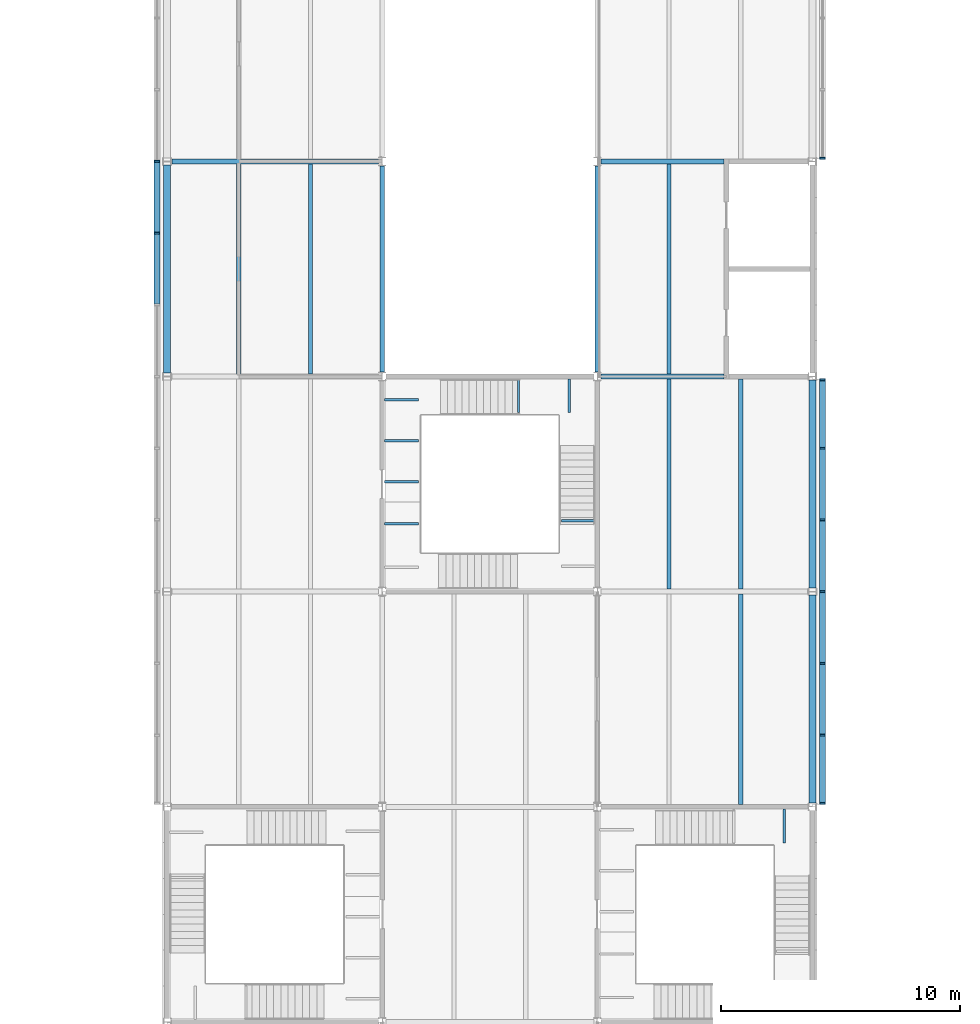
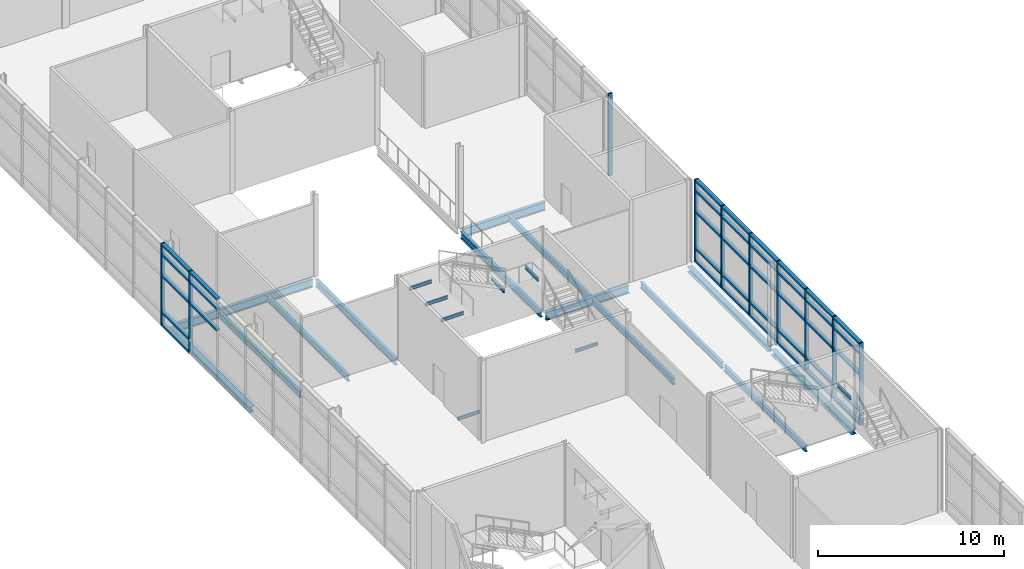
# One storey, part 12 of 53: 48 members, 22 beams, 3 elements without a shape of their own.
"""IFC4 building model written with IfcOpenShell, lengths in metres."""

from ifc_helpers import new_model, si_unit, direction, frame, origin, origin_2d, place, context, subcontext, project, spatial, rectangle, i_section, extrude, material, material_profile, profile_set, type_object, element, aggregate, save


model = new_model("IFC4")

# Units and contexts
model_context = context("Model", 3, precision=1e-05, world=origin(), true_north=direction((0.0, 1.0)))
body_context = subcontext(model_context, "Body", "Model", "MODEL_VIEW")
ifc_project = project(units=[si_unit("LENGTHUNIT", "METRE"), si_unit("AREAUNIT", "SQUARE_METRE"), si_unit("VOLUMEUNIT", "CUBIC_METRE"), si_unit("PLANEANGLEUNIT", "RADIAN"), si_unit("MASSUNIT", "GRAM", prefix="KILO")], contexts=[model_context])

# Site, building, storey
site_placement = place(None, origin())
site = spatial("IfcSite", under=ifc_project, at=site_placement, CompositionType="ELEMENT")
building_placement = place(site_placement, origin())
building = spatial("IfcBuilding", under=site, at=building_placement, Name="Azimuth Sports and Learning Centre", CompositionType="ELEMENT")
storey_placement = place(building_placement, frame((0.0, 0.0, 10.800048828125)))
storey = spatial("IfcBuildingStorey", under=building, at=storey_placement, Name="L02", CompositionType="ELEMENT", Elevation=10.800048828125)

# Beams
ifc_material_1 = material(Name="Steel S355", Category="steel")
ifc_material_profile_1 = material_profile(ifc_material_1, i_section(OverallWidth=0.10009765625, OverallDepth=0.199951171875, WebThickness=0.005615234375, FlangeThickness=0.008544921875, FilletRadius=0.011962890625, at=origin_2d()), Name="IPE 200")
ifc_profile_set_1 = profile_set([ifc_material_profile_1], Name="Steel S355")
beam_type_1 = type_object("IfcBeamType", Name="Beam IPE 200", PredefinedType="BEAM", material=ifc_profile_set_1)
for number, where, z_axis, x_axis, name in (
    (1, (97.827392578125, 35.89990234375, 3.300048828125), (0.0, -1.0, 0.0), (1.0, 0.0, 0.0), "Landing bracket ST4 L02 1114"),
    (2, (81.10009765625, 47.840087890625, -0.300048828125), (1.0, 0.0, 0.0), (0.0, 1.0, 0.0), "Landing bracket STC L02 1144"),
    (3, (89.89990234375, 47.9599609375, 1.5), (-1.0, 0.0, 0.0), (0.0, -1.0, 0.0), "Landing bracket STC L02 1146"),
    (4, (86.702392578125, 53.89990234375, 3.300048828125), (0.0, -1.0, 0.0), (1.0, 0.0, 0.0), "Landing bracket STC L02 1147"),
    (5, (88.827392578125, 53.89990234375, 3.300048828125), (0.0, -1.0, 0.0), (1.0, 0.0, 0.0), "Landing bracket STC L02 1148"),
    (6, (81.10009765625, 49.606689453125, 5.099853515625), (1.0, 0.0, 0.0), (0.0, 1.0, 0.0), "Landing bracket STC L02 1149"),
    (7, (81.10009765625, 51.320068359375, 5.099853515625), (1.0, 0.0, 0.0), (0.0, 1.0, 0.0), "Landing bracket STC L02 1150"),
    (8, (81.10009765625, 53.033447265625, 5.099853515625), (1.0, 0.0, 0.0), (0.0, 1.0, 0.0), "Landing bracket STC L02 1151"),
):
    element("IfcBeam", number, at=place(storey_placement, frame(where, z_axis=z_axis, x_axis=x_axis)), inside=storey, type_object=beam_type_1, Name=name, PredefinedType="BEAM", context=body_context, shape_type="SweptSolid", body=[
        extrude(i_section(OverallWidth=0.10009765625, OverallDepth=0.199951171875, WebThickness=0.005615234375, FlangeThickness=0.008544921875, FilletRadius=0.011962890625, at=origin_2d()), origin(), (0.0, 0.0, 1.0), 1.409912109375),
    ])
ifc_material_2 = material(Name="Steel S355", Category="steel")
ifc_material_profile_2 = material_profile(ifc_material_2, i_section(OverallWidth=0.18994140625, OverallDepth=0.449951171875, WebThickness=0.009521484375, FlangeThickness=0.0146484375, FilletRadius=0.02099609375, at=origin_2d()), Name="IPE 450")
ifc_profile_set_2 = profile_set([ifc_material_profile_2], Name="Steel S355")
beam_type_2 = type_object("IfcBeamType", Name="Beam IPE 450", PredefinedType="BEAM", material=ifc_profile_set_2)
for number, where, z_axis, x_axis, name in (
    (9, (81.0, 54.199951171875, -0.375), (0.0, 1.0, 0.0), (-1.0, 0.0, 0.0), "Beam L02 ST 32"),
    (10, (90.0, 54.199951171875, -0.375), (0.0, 1.0, 0.0), (-1.0, 0.0, 0.0), "Beam L02 ST 38"),
):
    element("IfcBeam", number, at=place(storey_placement, frame(where, z_axis=z_axis, x_axis=x_axis)), inside=storey, type_object=beam_type_2, Name=name, PredefinedType="BEAM", context=body_context, shape_type="SweptSolid", body=[
        extrude(i_section(OverallWidth=0.18994140625, OverallDepth=0.449951171875, WebThickness=0.009521484375, FlangeThickness=0.0146484375, FilletRadius=0.02099609375, at=origin_2d()), origin(), (0.0, 0.0, 1.0), 8.60009765625),
    ])
ifc_material_3 = material(Name="Steel S355", Category="steel")
ifc_material_profile_3 = material_profile(ifc_material_3, i_section(OverallWidth=0.2099609375, OverallDepth=0.550048828125, WebThickness=0.010986328125, FlangeThickness=0.01708984375, FilletRadius=0.02392578125, at=origin_2d()), Name="IPE 550")
ifc_profile_set_3 = profile_set([ifc_material_profile_3], Name="Steel S355")
beam_type_3 = type_object("IfcBeamType", Name="Beam IPE 550", PredefinedType="BEAM", material=ifc_profile_set_3)
beam_1_placement = place(storey_placement, frame((90.14990234375, 54.0, -0.425048828125), z_axis=(1.0, 0.0, 0.0), x_axis=(0.0, 1.0, 0.0)))
element("IfcBeam", 11, at=beam_1_placement, inside=storey, type_object=beam_type_3, Name="Beam L02 ST 11", PredefinedType="BEAM", context=body_context, shape_type="SweptSolid", body=[
    extrude(i_section(OverallWidth=0.2099609375, OverallDepth=0.550048828125, WebThickness=0.010986328125, FlangeThickness=0.01708984375, FilletRadius=0.02392578125, at=origin_2d()), origin(), (0.0, 0.0, 1.0), 5.150146484375),
])
beam_2_placement = place(storey_placement, frame((72.199951171875, 63.0, -0.425048828125), z_axis=(1.0, 0.0, 0.0), x_axis=(0.0, 1.0, 0.0)))
element("IfcBeam", 12, at=beam_2_placement, inside=storey, type_object=beam_type_3, Name="Beam L02 ST 12", PredefinedType="BEAM", context=body_context, shape_type="SweptSolid", body=[
    extrude(i_section(OverallWidth=0.2099609375, OverallDepth=0.550048828125, WebThickness=0.010986328125, FlangeThickness=0.01708984375, FilletRadius=0.02392578125, at=origin_2d()), origin(), (0.0, 0.0, 1.0), 8.650146484375),
])
beam_3_placement = place(storey_placement, frame((90.14990234375, 63.0, -0.425048828125), z_axis=(1.0, 0.0, 0.0), x_axis=(0.0, 1.0, 0.0)))
element("IfcBeam", 13, at=beam_3_placement, inside=storey, type_object=beam_type_3, Name="Beam L02 ST 13", PredefinedType="BEAM", context=body_context, shape_type="SweptSolid", body=[
    extrude(i_section(OverallWidth=0.2099609375, OverallDepth=0.550048828125, WebThickness=0.010986328125, FlangeThickness=0.01708984375, FilletRadius=0.02392578125, at=origin_2d()), origin(), (0.0, 0.0, 1.0), 5.150146484375),
])
ifc_material_4 = material(Name="Steel S355", Category="steel")
ifc_material_profile_4 = material_profile(ifc_material_4, i_section(OverallWidth=0.300048828125, OverallDepth=0.35009765625, WebThickness=0.010009765625, FlangeThickness=0.017578125, FilletRadius=0.027099609375, at=origin_2d()), Name="HEA 360")
ifc_profile_set_4 = profile_set([ifc_material_profile_4], Name="Steel S355")
beam_type_4 = type_object("IfcBeamType", Name="Edge beam HEA 360", PredefinedType="SPANDREL", material=ifc_profile_set_4)
for number, where, z_axis, x_axis, name in (
    (14, (72.0, 54.14990234375, -0.324951171875), (0.0, 1.0, 0.0), (-1.0, 0.0, 0.0), "Edge beam L02 ST 25"),
    (15, (99.0, 36.14990234375, -0.324951171875), (0.0, 1.0, 0.0), (-1.0, 0.0, 0.0), "Edge beam L02 ST 43"),
    (16, (99.0, 45.14990234375, -0.324951171875), (0.0, 1.0, 0.0), (-1.0, 0.0, 0.0), "Edge beam L02 ST 44"),
):
    element("IfcBeam", number, at=place(storey_placement, frame(where, z_axis=z_axis, x_axis=x_axis)), inside=storey, type_object=beam_type_4, Name=name, PredefinedType="SPANDREL", context=body_context, shape_type="SweptSolid", body=[
        extrude(i_section(OverallWidth=0.300048828125, OverallDepth=0.35009765625, WebThickness=0.010009765625, FlangeThickness=0.017578125, FilletRadius=0.027099609375, at=origin_2d()), origin(), (0.0, 0.0, 1.0), 8.7001953125),
    ])
ifc_material_5 = material(Name="Steel S355", Category="steel")
ifc_material_profile_5 = material_profile(ifc_material_5, i_section(OverallWidth=0.179931640625, OverallDepth=0.39990234375, WebThickness=0.008544921875, FlangeThickness=0.013427734375, FilletRadius=0.02099609375, at=origin_2d()), Name="IPE 400")
ifc_profile_set_5 = profile_set([ifc_material_profile_5], Name="Steel S355")
beam_type_5 = type_object("IfcBeamType", Name="Joist IPE 400", PredefinedType="JOIST", material=ifc_profile_set_5)
for number, where, z_axis, x_axis, name in (
    (17, (75.0, 54.10498046875, -0.35009765625), (0.0, 1.0, 0.0), (-1.0, 0.0, 0.0), "Joist L02 ST 52"),
    (18, (78.0, 54.10498046875, -0.35009765625), (0.0, 1.0, 0.0), (-1.0, 0.0, 0.0), "Joist L02 ST 60"),
    (19, (93.0, 45.10498046875, -0.35009765625), (0.0, 1.0, 0.0), (-1.0, 0.0, 0.0), "Joist L02 ST 79"),
    (20, (93.0, 54.10498046875, -0.35009765625), (0.0, 1.0, 0.0), (-1.0, 0.0, 0.0), "Joist L02 ST 80"),
):
    element("IfcBeam", number, at=place(storey_placement, frame(where, z_axis=z_axis, x_axis=x_axis)), inside=storey, type_object=beam_type_5, Name=name, PredefinedType="JOIST", context=body_context, shape_type="SweptSolid", body=[
        extrude(i_section(OverallWidth=0.179931640625, OverallDepth=0.39990234375, WebThickness=0.008544921875, FlangeThickness=0.013427734375, FilletRadius=0.02099609375, at=origin_2d()), origin(), (0.0, 0.0, 1.0), 8.7900390625),
    ])
for number, where, z_axis, x_axis, name in (
    (21, (96.0, 36.10009765625, -0.35009765625), (0.0, 1.0, 0.0), (-1.0, 0.0, 0.0), "Joist L02 ST 86"),
    (22, (96.0, 45.10498046875, -0.35009765625), (0.0, 1.0, 0.0), (-1.0, 0.0, 0.0), "Joist L02 ST 87"),
):
    element("IfcBeam", number, at=place(storey_placement, frame(where, z_axis=z_axis, x_axis=x_axis)), inside=storey, type_object=beam_type_5, Name=name, PredefinedType="JOIST", context=body_context, shape_type="SweptSolid", body=[
        extrude(i_section(OverallWidth=0.179931640625, OverallDepth=0.39990234375, WebThickness=0.008544921875, FlangeThickness=0.013427734375, FilletRadius=0.02099609375, at=origin_2d()), origin(), (0.0, 0.0, 1.0), 8.794921875),
    ])

# Curtain wall, members
ifc_material_6 = material(Name="Aluminium and glass", Category="aluminium")
curtain_wall_type = type_object("IfcCurtainWallType", Name="Curtain wall podium stem 240", PredefinedType="NOTDEFINED", material=ifc_material_6)
curtain_wall_1_placement = place(storey_placement, origin())
curtain_wall_1 = element("IfcCurtainWall", 23, at=curtain_wall_1_placement, inside=storey, type_object=curtain_wall_type, Name="Curtain wall CW02-003", PredefinedType="NOTDEFINED")
ifc_material_7 = material(Name="Aluminium", Category="aluminium")
ifc_material_profile_6 = material_profile(ifc_material_7, rectangle(XDim=0.239990234375, YDim=0.080078125, at=origin_2d()), Name="Mullion 80x240")
ifc_profile_set_6 = profile_set([ifc_material_profile_6], Name="Aluminium")
member_type_1 = type_object("IfcMemberType", Name="Mullion 80x240", PredefinedType="MULLION", material=ifc_profile_set_6)
member_1_placement = place(storey_placement, frame((71.580078125, 63.0, 0.0), z_axis=(0.0, 0.0, 1.0), x_axis=(1.0, 0.0, 0.0)))
member_1 = element("IfcMember", 24, at=member_1_placement, type_object=member_type_1, Name="CW02-003 mullion 10", PredefinedType="MULLION", context=body_context, shape_type="SweptSolid", body=[
    extrude(rectangle(XDim=0.239990234375, YDim=0.080078125, at=origin_2d()), origin(), (0.0, 0.0, 1.0), 5.39990234375),
])
member_2_placement = place(storey_placement, frame((71.580078125, 60.0, 0.0), z_axis=(0.0, 0.0, 1.0), x_axis=(1.0, 0.0, 0.0)))
member_2 = element("IfcMember", 25, at=member_2_placement, type_object=member_type_1, Name="CW02-003 mullion 11", PredefinedType="MULLION", context=body_context, shape_type="SweptSolid", body=[
    extrude(rectangle(XDim=0.239990234375, YDim=0.080078125, at=origin_2d()), origin(), (0.0, 0.0, 1.0), 5.39990234375),
])

curtain_wall_2_placement = place(storey_placement, origin())
curtain_wall_2 = element("IfcCurtainWall", 26, at=curtain_wall_2_placement, inside=storey, type_object=curtain_wall_type, Name="Curtain wall CW02-007", PredefinedType="NOTDEFINED")
member_3_placement = place(storey_placement, frame((99.419921875, 36.139892578125, 0.0), z_axis=(0.0, 0.0, 1.0), x_axis=(-1.0, 0.0, 0.0)))
member_3 = element("IfcMember", 27, at=member_3_placement, type_object=member_type_1, Name="CW02-007 mullion 1", PredefinedType="MULLION", context=body_context, shape_type="SweptSolid", body=[
    extrude(rectangle(XDim=0.239990234375, YDim=0.080078125, at=origin_2d()), origin(), (0.0, 0.0, 1.0), 5.39990234375),
])
member_4_placement = place(storey_placement, frame((99.419921875, 39.0, 0.0), z_axis=(0.0, 0.0, 1.0), x_axis=(-1.0, 0.0, 0.0)))
member_4 = element("IfcMember", 28, at=member_4_placement, type_object=member_type_1, Name="CW02-007 mullion 2", PredefinedType="MULLION", context=body_context, shape_type="SweptSolid", body=[
    extrude(rectangle(XDim=0.239990234375, YDim=0.080078125, at=origin_2d()), origin(), (0.0, 0.0, 1.0), 5.39990234375),
])
member_5_placement = place(storey_placement, frame((99.419921875, 42.0, 0.0), z_axis=(0.0, 0.0, 1.0), x_axis=(-1.0, 0.0, 0.0)))
member_5 = element("IfcMember", 29, at=member_5_placement, type_object=member_type_1, Name="CW02-007 mullion 3", PredefinedType="MULLION", context=body_context, shape_type="SweptSolid", body=[
    extrude(rectangle(XDim=0.239990234375, YDim=0.080078125, at=origin_2d()), origin(), (0.0, 0.0, 1.0), 5.39990234375),
])
member_6_placement = place(storey_placement, frame((99.419921875, 45.0, 0.0), z_axis=(0.0, 0.0, 1.0), x_axis=(-1.0, 0.0, 0.0)))
member_6 = element("IfcMember", 30, at=member_6_placement, type_object=member_type_1, Name="CW02-007 mullion 4", PredefinedType="MULLION", context=body_context, shape_type="SweptSolid", body=[
    extrude(rectangle(XDim=0.239990234375, YDim=0.080078125, at=origin_2d()), origin(), (0.0, 0.0, 1.0), 5.39990234375),
])
member_7_placement = place(storey_placement, frame((99.419921875, 48.0, 0.0), z_axis=(0.0, 0.0, 1.0), x_axis=(-1.0, 0.0, 0.0)))
member_7 = element("IfcMember", 31, at=member_7_placement, type_object=member_type_1, Name="CW02-007 mullion 5", PredefinedType="MULLION", context=body_context, shape_type="SweptSolid", body=[
    extrude(rectangle(XDim=0.239990234375, YDim=0.080078125, at=origin_2d()), origin(), (0.0, 0.0, 1.0), 5.39990234375),
])
member_8_placement = place(storey_placement, frame((99.419921875, 51.0, 0.0), z_axis=(0.0, 0.0, 1.0), x_axis=(-1.0, 0.0, 0.0)))
member_8 = element("IfcMember", 32, at=member_8_placement, type_object=member_type_1, Name="CW02-007 mullion 6", PredefinedType="MULLION", context=body_context, shape_type="SweptSolid", body=[
    extrude(rectangle(XDim=0.239990234375, YDim=0.080078125, at=origin_2d()), origin(), (0.0, 0.0, 1.0), 5.39990234375),
])
member_9_placement = place(storey_placement, frame((99.419921875, 53.860107421875, 0.0), z_axis=(0.0, 0.0, 1.0), x_axis=(-1.0, 0.0, 0.0)))
member_9 = element("IfcMember", 33, at=member_9_placement, type_object=member_type_1, Name="CW02-007 mullion 7", PredefinedType="MULLION", context=body_context, shape_type="SweptSolid", body=[
    extrude(rectangle(XDim=0.239990234375, YDim=0.080078125, at=origin_2d()), origin(), (0.0, 0.0, 1.0), 5.39990234375),
])

# Curtain wall, member
curtain_wall_3_placement = place(storey_placement, origin())
curtain_wall_3 = element("IfcCurtainWall", 34, at=curtain_wall_3_placement, inside=storey, type_object=curtain_wall_type, Name="Curtain wall CW02-008", PredefinedType="NOTDEFINED")
member_10_placement = place(storey_placement, frame((99.419921875, 63.139892578125, 0.0), z_axis=(0.0, 0.0, 1.0), x_axis=(-1.0, 0.0, 0.0)))
member_10 = element("IfcMember", 35, at=member_10_placement, type_object=member_type_1, Name="CW02-008 mullion 1", PredefinedType="MULLION", context=body_context, shape_type="SweptSolid", body=[
    extrude(rectangle(XDim=0.239990234375, YDim=0.080078125, at=origin_2d()), origin(), (0.0, 0.0, 1.0), 5.39990234375),
])
aggregate(curtain_wall_3, [member_10])

# Member
ifc_material_8 = material(Name="Aluminium", Category="aluminium")
ifc_material_profile_7 = material_profile(ifc_material_8, rectangle(XDim=0.239990234375, YDim=0.1201171875, at=origin_2d()), Name="Transom 120x240")
ifc_profile_set_7 = profile_set([ifc_material_profile_7], Name="Aluminium")
member_type_2 = type_object("IfcMemberType", Name="Transom 120x240", PredefinedType="USERDEFINED", material=ifc_profile_set_7)
member_11_placement = place(storey_placement, frame((71.580078125, 62.9599609375, 0.06005859375), z_axis=(0.0, -1.0, 0.0), x_axis=(1.0, 0.0, 0.0)))
member_11 = element("IfcMember", 36, at=member_11_placement, type_object=member_type_2, Name="CW02-003 transom 10.1", ObjectType="TRANSOM", PredefinedType="USERDEFINED", context=body_context, shape_type="SweptSolid", body=[
    extrude(rectangle(XDim=0.239990234375, YDim=0.1201171875, at=origin_2d()), origin(), (0.0, 0.0, 1.0), 2.919921875),
])

member_12_placement = place(storey_placement, frame((71.580078125, 62.9599609375, 0.89990234375), z_axis=(0.0, -1.0, 0.0), x_axis=(1.0, 0.0, 0.0)))
member_12 = element("IfcMember", 37, at=member_12_placement, type_object=member_type_2, Name="CW02-003 transom 10.2", ObjectType="TRANSOM", PredefinedType="USERDEFINED", context=body_context, shape_type="SweptSolid", body=[
    extrude(rectangle(XDim=0.239990234375, YDim=0.1201171875, at=origin_2d()), origin(), (0.0, 0.0, 1.0), 2.919921875),
])

member_13_placement = place(storey_placement, frame((71.580078125, 62.9599609375, 3.300048828125), z_axis=(0.0, -1.0, 0.0), x_axis=(1.0, 0.0, 0.0)))
member_13 = element("IfcMember", 38, at=member_13_placement, type_object=member_type_2, Name="CW02-003 transom 10.3", ObjectType="TRANSOM", PredefinedType="USERDEFINED", context=body_context, shape_type="SweptSolid", body=[
    extrude(rectangle(XDim=0.239990234375, YDim=0.1201171875, at=origin_2d()), origin(), (0.0, 0.0, 1.0), 2.919921875),
])

member_14_placement = place(storey_placement, frame((71.580078125, 62.9599609375, 4.699951171875), z_axis=(0.0, -1.0, 0.0), x_axis=(1.0, 0.0, 0.0)))
member_14 = element("IfcMember", 39, at=member_14_placement, type_object=member_type_2, Name="CW02-003 transom 10.4", ObjectType="TRANSOM", PredefinedType="USERDEFINED", context=body_context, shape_type="SweptSolid", body=[
    extrude(rectangle(XDim=0.239990234375, YDim=0.1201171875, at=origin_2d()), origin(), (0.0, 0.0, 1.0), 2.919921875),
])

member_15_placement = place(storey_placement, frame((71.580078125, 62.9599609375, 5.33984375), z_axis=(0.0, -1.0, 0.0), x_axis=(1.0, 0.0, 0.0)))
member_15 = element("IfcMember", 40, at=member_15_placement, type_object=member_type_2, Name="CW02-003 transom 10.5", ObjectType="TRANSOM", PredefinedType="USERDEFINED", context=body_context, shape_type="SweptSolid", body=[
    extrude(rectangle(XDim=0.239990234375, YDim=0.1201171875, at=origin_2d()), origin(), (0.0, 0.0, 1.0), 2.919921875),
])

member_16_placement = place(storey_placement, frame((71.580078125, 59.9599609375, 3.300048828125), z_axis=(0.0, -1.0, 0.0), x_axis=(1.0, 0.0, 0.0)))
member_16 = element("IfcMember", 41, at=member_16_placement, type_object=member_type_2, Name="CW02-003 transom 11.3", ObjectType="TRANSOM", PredefinedType="USERDEFINED", context=body_context, shape_type="SweptSolid", body=[
    extrude(rectangle(XDim=0.239990234375, YDim=0.1201171875, at=origin_2d()), origin(), (0.0, 0.0, 1.0), 2.919921875),
])

member_17_placement = place(storey_placement, frame((71.580078125, 59.9599609375, 4.699951171875), z_axis=(0.0, -1.0, 0.0), x_axis=(1.0, 0.0, 0.0)))
member_17 = element("IfcMember", 42, at=member_17_placement, type_object=member_type_2, Name="CW02-003 transom 11.4", ObjectType="TRANSOM", PredefinedType="USERDEFINED", context=body_context, shape_type="SweptSolid", body=[
    extrude(rectangle(XDim=0.239990234375, YDim=0.1201171875, at=origin_2d()), origin(), (0.0, 0.0, 1.0), 2.919921875),
])

member_18_placement = place(storey_placement, frame((71.580078125, 59.9599609375, 5.33984375), z_axis=(0.0, -1.0, 0.0), x_axis=(1.0, 0.0, 0.0)))
member_18 = element("IfcMember", 43, at=member_18_placement, type_object=member_type_2, Name="CW02-003 transom 11.5", ObjectType="TRANSOM", PredefinedType="USERDEFINED", context=body_context, shape_type="SweptSolid", body=[
    extrude(rectangle(XDim=0.239990234375, YDim=0.1201171875, at=origin_2d()), origin(), (0.0, 0.0, 1.0), 2.919921875),
])

aggregate(curtain_wall_1, [member_1, member_2, member_11, member_12, member_13, member_14, member_15, member_16, member_17, member_18])

member_19_placement = place(storey_placement, frame((99.419921875, 36.179931640625, 0.06005859375), z_axis=(0.0, 1.0, 0.0), x_axis=(-1.0, 0.0, 0.0)))
member_19 = element("IfcMember", 44, at=member_19_placement, type_object=member_type_2, Name="CW02-007 transom 1.1", ObjectType="TRANSOM", PredefinedType="USERDEFINED", context=body_context, shape_type="SweptSolid", body=[
    extrude(rectangle(XDim=0.239990234375, YDim=0.1201171875, at=origin_2d()), origin(), (0.0, 0.0, 1.0), 2.780029296875),
])

member_20_placement = place(storey_placement, frame((99.419921875, 36.179931640625, 0.89990234375), z_axis=(0.0, 1.0, 0.0), x_axis=(-1.0, 0.0, 0.0)))
member_20 = element("IfcMember", 45, at=member_20_placement, type_object=member_type_2, Name="CW02-007 transom 1.2", ObjectType="TRANSOM", PredefinedType="USERDEFINED", context=body_context, shape_type="SweptSolid", body=[
    extrude(rectangle(XDim=0.239990234375, YDim=0.1201171875, at=origin_2d()), origin(), (0.0, 0.0, 1.0), 2.780029296875),
])

member_21_placement = place(storey_placement, frame((99.419921875, 36.179931640625, 3.300048828125), z_axis=(0.0, 1.0, 0.0), x_axis=(-1.0, 0.0, 0.0)))
member_21 = element("IfcMember", 46, at=member_21_placement, type_object=member_type_2, Name="CW02-007 transom 1.3", ObjectType="TRANSOM", PredefinedType="USERDEFINED", context=body_context, shape_type="SweptSolid", body=[
    extrude(rectangle(XDim=0.239990234375, YDim=0.1201171875, at=origin_2d()), origin(), (0.0, 0.0, 1.0), 2.780029296875),
])

member_22_placement = place(storey_placement, frame((99.419921875, 36.179931640625, 4.699951171875), z_axis=(0.0, 1.0, 0.0), x_axis=(-1.0, 0.0, 0.0)))
member_22 = element("IfcMember", 47, at=member_22_placement, type_object=member_type_2, Name="CW02-007 transom 1.4", ObjectType="TRANSOM", PredefinedType="USERDEFINED", context=body_context, shape_type="SweptSolid", body=[
    extrude(rectangle(XDim=0.239990234375, YDim=0.1201171875, at=origin_2d()), origin(), (0.0, 0.0, 1.0), 2.780029296875),
])

member_23_placement = place(storey_placement, frame((99.419921875, 36.179931640625, 5.33984375), z_axis=(0.0, 1.0, 0.0), x_axis=(-1.0, 0.0, 0.0)))
member_23 = element("IfcMember", 48, at=member_23_placement, type_object=member_type_2, Name="CW02-007 transom 1.5", ObjectType="TRANSOM", PredefinedType="USERDEFINED", context=body_context, shape_type="SweptSolid", body=[
    extrude(rectangle(XDim=0.239990234375, YDim=0.1201171875, at=origin_2d()), origin(), (0.0, 0.0, 1.0), 2.780029296875),
])

member_24_placement = place(storey_placement, frame((99.419921875, 39.0400390625, 0.06005859375), z_axis=(0.0, 1.0, 0.0), x_axis=(-1.0, 0.0, 0.0)))
member_24 = element("IfcMember", 49, at=member_24_placement, type_object=member_type_2, Name="CW02-007 transom 2.1", ObjectType="TRANSOM", PredefinedType="USERDEFINED", context=body_context, shape_type="SweptSolid", body=[
    extrude(rectangle(XDim=0.239990234375, YDim=0.1201171875, at=origin_2d()), origin(), (0.0, 0.0, 1.0), 2.919921875),
])

member_25_placement = place(storey_placement, frame((99.419921875, 39.0400390625, 0.89990234375), z_axis=(0.0, 1.0, 0.0), x_axis=(-1.0, 0.0, 0.0)))
member_25 = element("IfcMember", 50, at=member_25_placement, type_object=member_type_2, Name="CW02-007 transom 2.2", ObjectType="TRANSOM", PredefinedType="USERDEFINED", context=body_context, shape_type="SweptSolid", body=[
    extrude(rectangle(XDim=0.239990234375, YDim=0.1201171875, at=origin_2d()), origin(), (0.0, 0.0, 1.0), 2.919921875),
])

member_26_placement = place(storey_placement, frame((99.419921875, 39.0400390625, 3.300048828125), z_axis=(0.0, 1.0, 0.0), x_axis=(-1.0, 0.0, 0.0)))
member_26 = element("IfcMember", 51, at=member_26_placement, type_object=member_type_2, Name="CW02-007 transom 2.3", ObjectType="TRANSOM", PredefinedType="USERDEFINED", context=body_context, shape_type="SweptSolid", body=[
    extrude(rectangle(XDim=0.239990234375, YDim=0.1201171875, at=origin_2d()), origin(), (0.0, 0.0, 1.0), 2.919921875),
])

member_27_placement = place(storey_placement, frame((99.419921875, 39.0400390625, 4.699951171875), z_axis=(0.0, 1.0, 0.0), x_axis=(-1.0, 0.0, 0.0)))
member_27 = element("IfcMember", 52, at=member_27_placement, type_object=member_type_2, Name="CW02-007 transom 2.4", ObjectType="TRANSOM", PredefinedType="USERDEFINED", context=body_context, shape_type="SweptSolid", body=[
    extrude(rectangle(XDim=0.239990234375, YDim=0.1201171875, at=origin_2d()), origin(), (0.0, 0.0, 1.0), 2.919921875),
])

member_28_placement = place(storey_placement, frame((99.419921875, 39.0400390625, 5.33984375), z_axis=(0.0, 1.0, 0.0), x_axis=(-1.0, 0.0, 0.0)))
member_28 = element("IfcMember", 53, at=member_28_placement, type_object=member_type_2, Name="CW02-007 transom 2.5", ObjectType="TRANSOM", PredefinedType="USERDEFINED", context=body_context, shape_type="SweptSolid", body=[
    extrude(rectangle(XDim=0.239990234375, YDim=0.1201171875, at=origin_2d()), origin(), (0.0, 0.0, 1.0), 2.919921875),
])

member_29_placement = place(storey_placement, frame((99.419921875, 42.0400390625, 0.06005859375), z_axis=(0.0, 1.0, 0.0), x_axis=(-1.0, 0.0, 0.0)))
member_29 = element("IfcMember", 54, at=member_29_placement, type_object=member_type_2, Name="CW02-007 transom 3.1", ObjectType="TRANSOM", PredefinedType="USERDEFINED", context=body_context, shape_type="SweptSolid", body=[
    extrude(rectangle(XDim=0.239990234375, YDim=0.1201171875, at=origin_2d()), origin(), (0.0, 0.0, 1.0), 2.919921875),
])

member_30_placement = place(storey_placement, frame((99.419921875, 42.0400390625, 0.89990234375), z_axis=(0.0, 1.0, 0.0), x_axis=(-1.0, 0.0, 0.0)))
member_30 = element("IfcMember", 55, at=member_30_placement, type_object=member_type_2, Name="CW02-007 transom 3.2", ObjectType="TRANSOM", PredefinedType="USERDEFINED", context=body_context, shape_type="SweptSolid", body=[
    extrude(rectangle(XDim=0.239990234375, YDim=0.1201171875, at=origin_2d()), origin(), (0.0, 0.0, 1.0), 2.919921875),
])

member_31_placement = place(storey_placement, frame((99.419921875, 42.0400390625, 3.300048828125), z_axis=(0.0, 1.0, 0.0), x_axis=(-1.0, 0.0, 0.0)))
member_31 = element("IfcMember", 56, at=member_31_placement, type_object=member_type_2, Name="CW02-007 transom 3.3", ObjectType="TRANSOM", PredefinedType="USERDEFINED", context=body_context, shape_type="SweptSolid", body=[
    extrude(rectangle(XDim=0.239990234375, YDim=0.1201171875, at=origin_2d()), origin(), (0.0, 0.0, 1.0), 2.919921875),
])

member_32_placement = place(storey_placement, frame((99.419921875, 42.0400390625, 4.699951171875), z_axis=(0.0, 1.0, 0.0), x_axis=(-1.0, 0.0, 0.0)))
member_32 = element("IfcMember", 57, at=member_32_placement, type_object=member_type_2, Name="CW02-007 transom 3.4", ObjectType="TRANSOM", PredefinedType="USERDEFINED", context=body_context, shape_type="SweptSolid", body=[
    extrude(rectangle(XDim=0.239990234375, YDim=0.1201171875, at=origin_2d()), origin(), (0.0, 0.0, 1.0), 2.919921875),
])

member_33_placement = place(storey_placement, frame((99.419921875, 42.0400390625, 5.33984375), z_axis=(0.0, 1.0, 0.0), x_axis=(-1.0, 0.0, 0.0)))
member_33 = element("IfcMember", 58, at=member_33_placement, type_object=member_type_2, Name="CW02-007 transom 3.5", ObjectType="TRANSOM", PredefinedType="USERDEFINED", context=body_context, shape_type="SweptSolid", body=[
    extrude(rectangle(XDim=0.239990234375, YDim=0.1201171875, at=origin_2d()), origin(), (0.0, 0.0, 1.0), 2.919921875),
])

member_34_placement = place(storey_placement, frame((99.419921875, 45.0400390625, 0.06005859375), z_axis=(0.0, 1.0, 0.0), x_axis=(-1.0, 0.0, 0.0)))
member_34 = element("IfcMember", 59, at=member_34_placement, type_object=member_type_2, Name="CW02-007 transom 4.1", ObjectType="TRANSOM", PredefinedType="USERDEFINED", context=body_context, shape_type="SweptSolid", body=[
    extrude(rectangle(XDim=0.239990234375, YDim=0.1201171875, at=origin_2d()), origin(), (0.0, 0.0, 1.0), 2.919921875),
])

member_35_placement = place(storey_placement, frame((99.419921875, 45.0400390625, 0.89990234375), z_axis=(0.0, 1.0, 0.0), x_axis=(-1.0, 0.0, 0.0)))
member_35 = element("IfcMember", 60, at=member_35_placement, type_object=member_type_2, Name="CW02-007 transom 4.2", ObjectType="TRANSOM", PredefinedType="USERDEFINED", context=body_context, shape_type="SweptSolid", body=[
    extrude(rectangle(XDim=0.239990234375, YDim=0.1201171875, at=origin_2d()), origin(), (0.0, 0.0, 1.0), 2.919921875),
])

member_36_placement = place(storey_placement, frame((99.419921875, 45.0400390625, 3.300048828125), z_axis=(0.0, 1.0, 0.0), x_axis=(-1.0, 0.0, 0.0)))
member_36 = element("IfcMember", 61, at=member_36_placement, type_object=member_type_2, Name="CW02-007 transom 4.3", ObjectType="TRANSOM", PredefinedType="USERDEFINED", context=body_context, shape_type="SweptSolid", body=[
    extrude(rectangle(XDim=0.239990234375, YDim=0.1201171875, at=origin_2d()), origin(), (0.0, 0.0, 1.0), 2.919921875),
])

member_37_placement = place(storey_placement, frame((99.419921875, 45.0400390625, 4.699951171875), z_axis=(0.0, 1.0, 0.0), x_axis=(-1.0, 0.0, 0.0)))
member_37 = element("IfcMember", 62, at=member_37_placement, type_object=member_type_2, Name="CW02-007 transom 4.4", ObjectType="TRANSOM", PredefinedType="USERDEFINED", context=body_context, shape_type="SweptSolid", body=[
    extrude(rectangle(XDim=0.239990234375, YDim=0.1201171875, at=origin_2d()), origin(), (0.0, 0.0, 1.0), 2.919921875),
])

member_38_placement = place(storey_placement, frame((99.419921875, 45.0400390625, 5.33984375), z_axis=(0.0, 1.0, 0.0), x_axis=(-1.0, 0.0, 0.0)))
member_38 = element("IfcMember", 63, at=member_38_placement, type_object=member_type_2, Name="CW02-007 transom 4.5", ObjectType="TRANSOM", PredefinedType="USERDEFINED", context=body_context, shape_type="SweptSolid", body=[
    extrude(rectangle(XDim=0.239990234375, YDim=0.1201171875, at=origin_2d()), origin(), (0.0, 0.0, 1.0), 2.919921875),
])

member_39_placement = place(storey_placement, frame((99.419921875, 48.0400390625, 0.06005859375), z_axis=(0.0, 1.0, 0.0), x_axis=(-1.0, 0.0, 0.0)))
member_39 = element("IfcMember", 64, at=member_39_placement, type_object=member_type_2, Name="CW02-007 transom 5.1", ObjectType="TRANSOM", PredefinedType="USERDEFINED", context=body_context, shape_type="SweptSolid", body=[
    extrude(rectangle(XDim=0.239990234375, YDim=0.1201171875, at=origin_2d()), origin(), (0.0, 0.0, 1.0), 2.919921875),
])

member_40_placement = place(storey_placement, frame((99.419921875, 48.0400390625, 0.89990234375), z_axis=(0.0, 1.0, 0.0), x_axis=(-1.0, 0.0, 0.0)))
member_40 = element("IfcMember", 65, at=member_40_placement, type_object=member_type_2, Name="CW02-007 transom 5.2", ObjectType="TRANSOM", PredefinedType="USERDEFINED", context=body_context, shape_type="SweptSolid", body=[
    extrude(rectangle(XDim=0.239990234375, YDim=0.1201171875, at=origin_2d()), origin(), (0.0, 0.0, 1.0), 2.919921875),
])

member_41_placement = place(storey_placement, frame((99.419921875, 48.0400390625, 3.300048828125), z_axis=(0.0, 1.0, 0.0), x_axis=(-1.0, 0.0, 0.0)))
member_41 = element("IfcMember", 66, at=member_41_placement, type_object=member_type_2, Name="CW02-007 transom 5.3", ObjectType="TRANSOM", PredefinedType="USERDEFINED", context=body_context, shape_type="SweptSolid", body=[
    extrude(rectangle(XDim=0.239990234375, YDim=0.1201171875, at=origin_2d()), origin(), (0.0, 0.0, 1.0), 2.919921875),
])

member_42_placement = place(storey_placement, frame((99.419921875, 48.0400390625, 4.699951171875), z_axis=(0.0, 1.0, 0.0), x_axis=(-1.0, 0.0, 0.0)))
member_42 = element("IfcMember", 67, at=member_42_placement, type_object=member_type_2, Name="CW02-007 transom 5.4", ObjectType="TRANSOM", PredefinedType="USERDEFINED", context=body_context, shape_type="SweptSolid", body=[
    extrude(rectangle(XDim=0.239990234375, YDim=0.1201171875, at=origin_2d()), origin(), (0.0, 0.0, 1.0), 2.919921875),
])

member_43_placement = place(storey_placement, frame((99.419921875, 48.0400390625, 5.33984375), z_axis=(0.0, 1.0, 0.0), x_axis=(-1.0, 0.0, 0.0)))
member_43 = element("IfcMember", 68, at=member_43_placement, type_object=member_type_2, Name="CW02-007 transom 5.5", ObjectType="TRANSOM", PredefinedType="USERDEFINED", context=body_context, shape_type="SweptSolid", body=[
    extrude(rectangle(XDim=0.239990234375, YDim=0.1201171875, at=origin_2d()), origin(), (0.0, 0.0, 1.0), 2.919921875),
])

member_44_placement = place(storey_placement, frame((99.419921875, 51.0400390625, 0.06005859375), z_axis=(0.0, 1.0, 0.0), x_axis=(-1.0, 0.0, 0.0)))
member_44 = element("IfcMember", 69, at=member_44_placement, type_object=member_type_2, Name="CW02-007 transom 6.1", ObjectType="TRANSOM", PredefinedType="USERDEFINED", context=body_context, shape_type="SweptSolid", body=[
    extrude(rectangle(XDim=0.239990234375, YDim=0.1201171875, at=origin_2d()), origin(), (0.0, 0.0, 1.0), 2.780029296875),
])

member_45_placement = place(storey_placement, frame((99.419921875, 51.0400390625, 0.89990234375), z_axis=(0.0, 1.0, 0.0), x_axis=(-1.0, 0.0, 0.0)))
member_45 = element("IfcMember", 70, at=member_45_placement, type_object=member_type_2, Name="CW02-007 transom 6.2", ObjectType="TRANSOM", PredefinedType="USERDEFINED", context=body_context, shape_type="SweptSolid", body=[
    extrude(rectangle(XDim=0.239990234375, YDim=0.1201171875, at=origin_2d()), origin(), (0.0, 0.0, 1.0), 2.780029296875),
])

member_46_placement = place(storey_placement, frame((99.419921875, 51.0400390625, 3.300048828125), z_axis=(0.0, 1.0, 0.0), x_axis=(-1.0, 0.0, 0.0)))
member_46 = element("IfcMember", 71, at=member_46_placement, type_object=member_type_2, Name="CW02-007 transom 6.3", ObjectType="TRANSOM", PredefinedType="USERDEFINED", context=body_context, shape_type="SweptSolid", body=[
    extrude(rectangle(XDim=0.239990234375, YDim=0.1201171875, at=origin_2d()), origin(), (0.0, 0.0, 1.0), 2.780029296875),
])

member_47_placement = place(storey_placement, frame((99.419921875, 51.0400390625, 4.699951171875), z_axis=(0.0, 1.0, 0.0), x_axis=(-1.0, 0.0, 0.0)))
member_47 = element("IfcMember", 72, at=member_47_placement, type_object=member_type_2, Name="CW02-007 transom 6.4", ObjectType="TRANSOM", PredefinedType="USERDEFINED", context=body_context, shape_type="SweptSolid", body=[
    extrude(rectangle(XDim=0.239990234375, YDim=0.1201171875, at=origin_2d()), origin(), (0.0, 0.0, 1.0), 2.780029296875),
])

member_48_placement = place(storey_placement, frame((99.419921875, 51.0400390625, 5.33984375), z_axis=(0.0, 1.0, 0.0), x_axis=(-1.0, 0.0, 0.0)))
member_48 = element("IfcMember", 73, at=member_48_placement, type_object=member_type_2, Name="CW02-007 transom 6.5", ObjectType="TRANSOM", PredefinedType="USERDEFINED", context=body_context, shape_type="SweptSolid", body=[
    extrude(rectangle(XDim=0.239990234375, YDim=0.1201171875, at=origin_2d()), origin(), (0.0, 0.0, 1.0), 2.780029296875),
])

aggregate(curtain_wall_2, [member_3, member_4, member_5, member_6, member_7, member_8, member_9, member_19, member_20, member_21, member_22, member_23, member_24, member_25, member_26, member_27, member_28, member_29, member_30, member_31, member_32, member_33, member_34, member_35, member_36, member_37, member_38, member_39, member_40, member_41, member_42, member_43, member_44, member_45, member_46, member_47, member_48])

save(model, "model.ifc")
